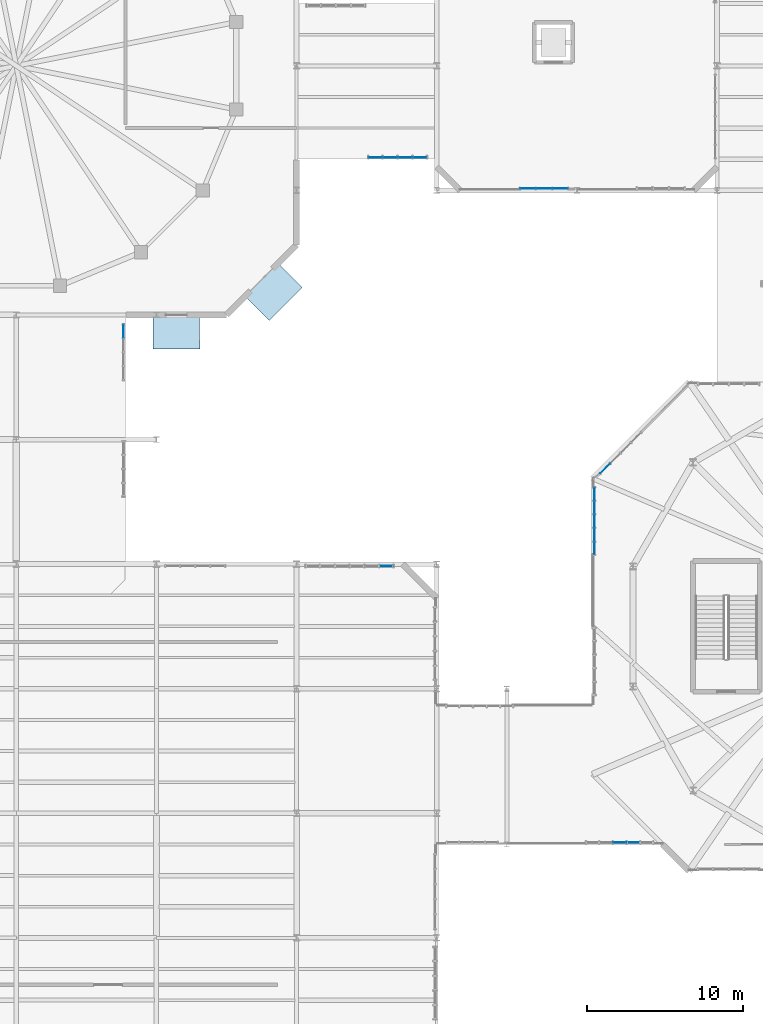
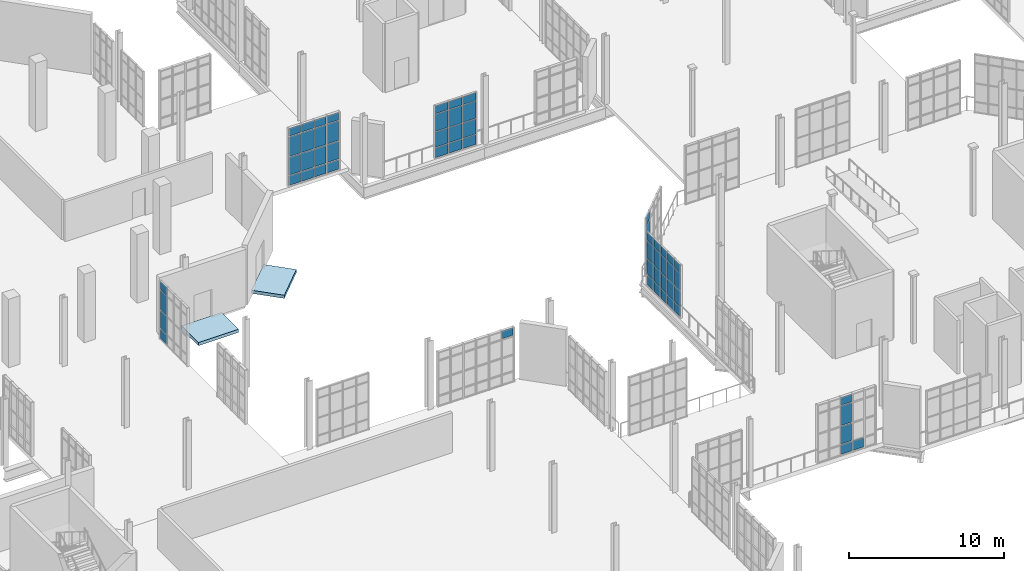
# One storey, part 146 of 189: 62 plates, 2 slabs, 7 elements without a shape of their own.
"""IFC4 building model written with IfcOpenShell, lengths in metres."""

from ifc_helpers import new_model, si_unit, direction, frame, origin, origin_2d, place, context, subcontext, project, spatial, polyline, rectangle, outline, extrude, material, layer, layer_set, type_object, element, aggregate, save


model = new_model("IFC4")

# Units and contexts
model_context = context("Model", 3, precision=1e-05, world=origin(), true_north=direction((0.0, 1.0)))
body_context = subcontext(model_context, "Body", "Model", "MODEL_VIEW")
ifc_project = project(units=[si_unit("LENGTHUNIT", "METRE"), si_unit("AREAUNIT", "SQUARE_METRE"), si_unit("VOLUMEUNIT", "CUBIC_METRE"), si_unit("PLANEANGLEUNIT", "RADIAN"), si_unit("MASSUNIT", "GRAM", prefix="KILO"), si_unit("THERMODYNAMICTEMPERATUREUNIT", "KELVIN"), si_unit("POWERUNIT", "WATT")], contexts=[model_context])

# Site, building, storey
site_placement = place(None, origin())
site = spatial("IfcSite", under=ifc_project, at=site_placement, CompositionType="ELEMENT")
building_placement = place(site_placement, origin())
building = spatial("IfcBuilding", under=site, at=building_placement, Name="Zelmaris Science Centre", CompositionType="ELEMENT")
storey_placement = place(building_placement, origin())
storey = spatial("IfcBuildingStorey", under=building, at=storey_placement, Name="L00", CompositionType="ELEMENT", Elevation=0.0)

# Curtain wall, plates
ifc_material_1 = material(Name="Anodised architectural aluminium 6063-T6", Category="aluminium")
ifc_layer_1 = layer(ifc_material_1, 0.18994140625, Name="Anodised architectural aluminium 6063-T6")
ifc_layer_set_1 = layer_set([ifc_layer_1], Name="Anodised architectural aluminium 6063-T6")
curtain_wall_type_1 = type_object("IfcCurtainWallType", Name="Curtain Wall CW-01", PredefinedType="USERDEFINED", material=ifc_layer_set_1)
curtain_wall_1_placement = place(storey_placement, origin())
curtain_wall_1 = element("IfcCurtainWall", 1, at=curtain_wall_1_placement, inside=storey, type_object=curtain_wall_type_1, Name="L00 Unitised curtain wall 37", ObjectType="GLAZED CURTAIN WALL", PredefinedType="USERDEFINED")
ifc_material_2 = material(Name="Laminated hurricane-rated low-E insulated glazing", Category="glass")
ifc_layer_2 = layer(ifc_material_2, 0.031982421875, Name="Laminated hurricane-rated low-E insulated glazing")
ifc_layer_set_2 = layer_set([ifc_layer_2], Name="Laminated hurricane-rated low-E insulated glazing")
plate_type_1 = type_object("IfcPlateType", Name="Curtain Glazing Panel CWP-1 32mm", PredefinedType="CURTAIN_PANEL", material=ifc_layer_set_2)
plate_1_placement = place(storey_placement, frame((52.912353515625, 66.118896484375, 0.05712890625), z_axis=(0.0, 0.0, 1.0), x_axis=(-1.0, 0.0, 0.0)))
plate_1 = element("IfcPlate", 2, at=plate_1_placement, type_object=plate_type_1, Name="CW-01 panel 1.1", PredefinedType="CURTAIN_PANEL", context=body_context, shape_type="SweptSolid", body=[
    extrude(rectangle(XDim=0.85498046875, YDim=0.031982421875, at=origin_2d()), origin(), (0.0, 0.0, 1.0), 0.741943359375),
])
plate_2_placement = place(storey_placement, frame((52.912353515625, 66.118896484375, 0.87109375), z_axis=(0.0, 0.0, 1.0), x_axis=(-1.0, 0.0, 0.0)))
plate_2 = element("IfcPlate", 3, at=plate_2_placement, type_object=plate_type_1, Name="CW-01 panel 1.2", PredefinedType="CURTAIN_PANEL", context=body_context, shape_type="SweptSolid", body=[
    extrude(rectangle(XDim=0.85498046875, YDim=0.031982421875, at=origin_2d()), origin(), (0.0, 0.0, 1.0), 1.385498046875),
])
plate_3_placement = place(storey_placement, frame((52.912353515625, 66.118896484375, 2.32861328125), z_axis=(0.0, 0.0, 1.0), x_axis=(-1.0, 0.0, 0.0)))
plate_3 = element("IfcPlate", 4, at=plate_3_placement, type_object=plate_type_1, Name="CW-01 panel 1.3", PredefinedType="CURTAIN_PANEL", context=body_context, shape_type="SweptSolid", body=[
    extrude(rectangle(XDim=0.85498046875, YDim=0.031982421875, at=origin_2d()), origin(), (0.0, 0.0, 1.0), 1.535400390625),
])
plate_4_placement = place(storey_placement, frame((52.912353515625, 66.118896484375, 3.93603515625), z_axis=(0.0, 0.0, 1.0), x_axis=(-1.0, 0.0, 0.0)))
plate_4 = element("IfcPlate", 5, at=plate_4_placement, type_object=plate_type_1, Name="CW-01 panel 1.4", PredefinedType="CURTAIN_PANEL", context=body_context, shape_type="SweptSolid", body=[
    extrude(rectangle(XDim=0.85498046875, YDim=0.031982421875, at=origin_2d()), origin(), (0.0, 0.0, 1.0), 0.592041015625),
])
plate_5_placement = place(storey_placement, frame((51.96728515625, 66.118896484375, 0.05712890625), z_axis=(0.0, 0.0, 1.0), x_axis=(-1.0, 0.0, 0.0)))
plate_5 = element("IfcPlate", 6, at=plate_5_placement, type_object=plate_type_1, Name="CW-01 panel 2.1", PredefinedType="CURTAIN_PANEL", context=body_context, shape_type="SweptSolid", body=[
    extrude(rectangle(XDim=0.890869140625, YDim=0.031982421875, at=origin_2d()), origin(), (0.0, 0.0, 1.0), 0.741943359375),
])
plate_6_placement = place(storey_placement, frame((51.96728515625, 66.118896484375, 0.87109375), z_axis=(0.0, 0.0, 1.0), x_axis=(-1.0, 0.0, 0.0)))
plate_6 = element("IfcPlate", 7, at=plate_6_placement, type_object=plate_type_1, Name="CW-01 panel 2.2", PredefinedType="CURTAIN_PANEL", context=body_context, shape_type="SweptSolid", body=[
    extrude(rectangle(XDim=0.890869140625, YDim=0.031982421875, at=origin_2d()), origin(), (0.0, 0.0, 1.0), 1.385498046875),
])
plate_7_placement = place(storey_placement, frame((51.96728515625, 66.118896484375, 2.32861328125), z_axis=(0.0, 0.0, 1.0), x_axis=(-1.0, 0.0, 0.0)))
plate_7 = element("IfcPlate", 8, at=plate_7_placement, type_object=plate_type_1, Name="CW-01 panel 2.3", PredefinedType="CURTAIN_PANEL", context=body_context, shape_type="SweptSolid", body=[
    extrude(rectangle(XDim=0.890869140625, YDim=0.031982421875, at=origin_2d()), origin(), (0.0, 0.0, 1.0), 1.535400390625),
])
plate_8_placement = place(storey_placement, frame((51.96728515625, 66.118896484375, 3.93603515625), z_axis=(0.0, 0.0, 1.0), x_axis=(-1.0, 0.0, 0.0)))
plate_8 = element("IfcPlate", 9, at=plate_8_placement, type_object=plate_type_1, Name="CW-01 panel 2.4", PredefinedType="CURTAIN_PANEL", context=body_context, shape_type="SweptSolid", body=[
    extrude(rectangle(XDim=0.890869140625, YDim=0.031982421875, at=origin_2d()), origin(), (0.0, 0.0, 1.0), 0.592041015625),
])
plate_9_placement = place(storey_placement, frame((51.00439453125, 66.118896484375, 0.05712890625), z_axis=(0.0, 0.0, 1.0), x_axis=(-1.0, 0.0, 0.0)))
plate_9 = element("IfcPlate", 10, at=plate_9_placement, type_object=plate_type_1, Name="CW-01 panel 3.1", PredefinedType="CURTAIN_PANEL", context=body_context, shape_type="SweptSolid", body=[
    extrude(rectangle(XDim=0.890869140625, YDim=0.031982421875, at=origin_2d()), origin(), (0.0, 0.0, 1.0), 0.741943359375),
])
plate_10_placement = place(storey_placement, frame((51.00439453125, 66.118896484375, 0.87109375), z_axis=(0.0, 0.0, 1.0), x_axis=(-1.0, 0.0, 0.0)))
plate_10 = element("IfcPlate", 11, at=plate_10_placement, type_object=plate_type_1, Name="CW-01 panel 3.2", PredefinedType="CURTAIN_PANEL", context=body_context, shape_type="SweptSolid", body=[
    extrude(rectangle(XDim=0.890869140625, YDim=0.031982421875, at=origin_2d()), origin(), (0.0, 0.0, 1.0), 1.385498046875),
])
plate_11_placement = place(storey_placement, frame((51.00439453125, 66.118896484375, 2.32861328125), z_axis=(0.0, 0.0, 1.0), x_axis=(-1.0, 0.0, 0.0)))
plate_11 = element("IfcPlate", 12, at=plate_11_placement, type_object=plate_type_1, Name="CW-01 panel 3.3", PredefinedType="CURTAIN_PANEL", context=body_context, shape_type="SweptSolid", body=[
    extrude(rectangle(XDim=0.890869140625, YDim=0.031982421875, at=origin_2d()), origin(), (0.0, 0.0, 1.0), 1.535400390625),
])
plate_12_placement = place(storey_placement, frame((51.00439453125, 66.118896484375, 3.93603515625), z_axis=(0.0, 0.0, 1.0), x_axis=(-1.0, 0.0, 0.0)))
plate_12 = element("IfcPlate", 13, at=plate_12_placement, type_object=plate_type_1, Name="CW-01 panel 3.4", PredefinedType="CURTAIN_PANEL", context=body_context, shape_type="SweptSolid", body=[
    extrude(rectangle(XDim=0.890869140625, YDim=0.031982421875, at=origin_2d()), origin(), (0.0, 0.0, 1.0), 0.592041015625),
])
plate_13_placement = place(storey_placement, frame((50.0595703125, 66.118896484375, 0.05712890625), z_axis=(0.0, 0.0, 1.0), x_axis=(-1.0, 0.0, 0.0)))
plate_13 = element("IfcPlate", 14, at=plate_13_placement, type_object=plate_type_1, Name="CW-01 panel 4.1", PredefinedType="CURTAIN_PANEL", context=body_context, shape_type="SweptSolid", body=[
    extrude(rectangle(XDim=0.85498046875, YDim=0.031982421875, at=origin_2d()), origin(), (0.0, 0.0, 1.0), 0.741943359375),
])
plate_14_placement = place(storey_placement, frame((50.0595703125, 66.118896484375, 0.87109375), z_axis=(0.0, 0.0, 1.0), x_axis=(-1.0, 0.0, 0.0)))
plate_14 = element("IfcPlate", 15, at=plate_14_placement, type_object=plate_type_1, Name="CW-01 panel 4.2", PredefinedType="CURTAIN_PANEL", context=body_context, shape_type="SweptSolid", body=[
    extrude(rectangle(XDim=0.85498046875, YDim=0.031982421875, at=origin_2d()), origin(), (0.0, 0.0, 1.0), 1.385498046875),
])
plate_15_placement = place(storey_placement, frame((50.0595703125, 66.118896484375, 2.32861328125), z_axis=(0.0, 0.0, 1.0), x_axis=(-1.0, 0.0, 0.0)))
plate_15 = element("IfcPlate", 16, at=plate_15_placement, type_object=plate_type_1, Name="CW-01 panel 4.3", PredefinedType="CURTAIN_PANEL", context=body_context, shape_type="SweptSolid", body=[
    extrude(rectangle(XDim=0.85498046875, YDim=0.031982421875, at=origin_2d()), origin(), (0.0, 0.0, 1.0), 1.535400390625),
])
plate_16_placement = place(storey_placement, frame((50.0595703125, 66.118896484375, 3.93603515625), z_axis=(0.0, 0.0, 1.0), x_axis=(-1.0, 0.0, 0.0)))
plate_16 = element("IfcPlate", 17, at=plate_16_placement, type_object=plate_type_1, Name="CW-01 panel 4.4", PredefinedType="CURTAIN_PANEL", context=body_context, shape_type="SweptSolid", body=[
    extrude(rectangle(XDim=0.85498046875, YDim=0.031982421875, at=origin_2d()), origin(), (0.0, 0.0, 1.0), 0.592041015625),
])
aggregate(curtain_wall_1, [plate_1, plate_2, plate_3, plate_4, plate_5, plate_6, plate_7, plate_8, plate_9, plate_10, plate_11, plate_12, plate_13, plate_14, plate_15, plate_16])

# Curtain wall, plate
curtain_wall_2_placement = place(storey_placement, origin())
curtain_wall_2 = element("IfcCurtainWall", 18, at=curtain_wall_2_placement, inside=storey, type_object=curtain_wall_type_1, Name="L00 Unitised curtain wall 45", ObjectType="GLAZED CURTAIN WALL", PredefinedType="USERDEFINED")
plate_17_placement = place(storey_placement, frame((50.765380859375, 39.8798828125, 3.64404296875), z_axis=(0.0, 0.0, 1.0), x_axis=(0.999999999847, -1.7482509e-05, 0.0)))
plate_17 = element("IfcPlate", 19, at=plate_17_placement, type_object=plate_type_1, Name="CW-01 panel 6.4", PredefinedType="CURTAIN_PANEL", context=body_context, shape_type="SweptSolid", body=[
    extrude(rectangle(XDim=0.84521484375, YDim=0.031982421875, at=origin_2d()), origin(), (0.0, 0.0, 1.0), 0.592041015625),
])
aggregate(curtain_wall_2, [plate_17])

# Curtain wall, plates
curtain_wall_3_placement = place(storey_placement, origin())
curtain_wall_3 = element("IfcCurtainWall", 20, at=curtain_wall_3_placement, inside=storey, type_object=curtain_wall_type_1, Name="L00 Unitised curtain wall 121", ObjectType="GLAZED CURTAIN WALL", PredefinedType="USERDEFINED")
plate_18_placement = place(storey_placement, frame((66.623779296875, 22.11962890625, 0.05712890625), z_axis=(0.0, 0.0, 1.0), x_axis=(-0.999999999741, 2.2776442e-05, 0.0)))
plate_18 = element("IfcPlate", 21, at=plate_18_placement, type_object=plate_type_1, Name="CW-01 panel 2.1", PredefinedType="CURTAIN_PANEL", context=body_context, shape_type="SweptSolid", body=[
    extrude(rectangle(XDim=0.80615234375, YDim=0.031982421875, at=origin_2d()), origin(), (0.0, 0.0, 1.0), 0.741943359375),
])
plate_19_placement = place(storey_placement, frame((65.745849609375, 22.11962890625, 0.05712890625), z_axis=(0.0, 0.0, 1.0), x_axis=(-0.999999999741, 2.2776442e-05, 0.0)))
plate_19 = element("IfcPlate", 22, at=plate_19_placement, type_object=plate_type_1, Name="CW-01 panel 3.1", PredefinedType="CURTAIN_PANEL", context=body_context, shape_type="SweptSolid", body=[
    extrude(rectangle(XDim=0.80615234375, YDim=0.031982421875, at=origin_2d()), origin(), (0.0, 0.0, 1.0), 0.741943359375),
])
plate_20_placement = place(storey_placement, frame((65.745849609375, 22.11962890625, 0.87109375), z_axis=(0.0, 0.0, 1.0), x_axis=(-0.999999999741, 2.2776442e-05, 0.0)))
plate_20 = element("IfcPlate", 23, at=plate_20_placement, type_object=plate_type_1, Name="CW-01 panel 3.2", PredefinedType="CURTAIN_PANEL", context=body_context, shape_type="SweptSolid", body=[
    extrude(rectangle(XDim=0.80615234375, YDim=0.031982421875, at=origin_2d()), origin(), (0.0, 0.0, 1.0), 1.385498046875),
])
plate_21_placement = place(storey_placement, frame((65.745849609375, 22.11962890625, 2.32861328125), z_axis=(0.0, 0.0, 1.0), x_axis=(-0.999999999741, 2.2776442e-05, 0.0)))
plate_21 = element("IfcPlate", 24, at=plate_21_placement, type_object=plate_type_1, Name="CW-01 panel 3.3", PredefinedType="CURTAIN_PANEL", context=body_context, shape_type="SweptSolid", body=[
    extrude(rectangle(XDim=0.80615234375, YDim=0.031982421875, at=origin_2d()), origin(), (0.0, 0.0, 1.0), 1.535400390625),
])
plate_22_placement = place(storey_placement, frame((65.745849609375, 22.11962890625, 3.93603515625), z_axis=(0.0, 0.0, 1.0), x_axis=(-0.999999999741, 2.2776442e-05, 0.0)))
plate_22 = element("IfcPlate", 25, at=plate_22_placement, type_object=plate_type_1, Name="CW-01 panel 3.4", PredefinedType="CURTAIN_PANEL", context=body_context, shape_type="SweptSolid", body=[
    extrude(rectangle(XDim=0.80615234375, YDim=0.031982421875, at=origin_2d()), origin(), (0.0, 0.0, 1.0), 0.592041015625),
])
aggregate(curtain_wall_3, [plate_18, plate_19, plate_20, plate_21, plate_22])

ifc_layer_3 = layer(ifc_material_1, 0.2099609375, Name="Anodised architectural aluminium 6063-T6")
ifc_layer_set_3 = layer_set([ifc_layer_3], Name="Anodised architectural aluminium 6063-T6")
curtain_wall_type_2 = type_object("IfcCurtainWallType", Name="Curtain Wall CW-03", PredefinedType="USERDEFINED", material=ifc_layer_set_3)
curtain_wall_4_placement = place(storey_placement, origin())
curtain_wall_4 = element("IfcCurtainWall", 26, at=curtain_wall_4_placement, inside=storey, type_object=curtain_wall_type_2, Name="L00 Unitised curtain wall 35", ObjectType="GLAZED CURTAIN WALL", PredefinedType="USERDEFINED")
ifc_layer_4 = layer(ifc_material_2, 0.02587890625, Name="Laminated hurricane-rated low-E insulated glazing")
ifc_layer_set_4 = layer_set([ifc_layer_4], Name="Laminated hurricane-rated low-E insulated glazing")
plate_type_2 = type_object("IfcPlateType", Name="Curtain Glazing Panel CWP-3 26mm", PredefinedType="CURTAIN_PANEL", material=ifc_layer_set_4)
plate_23_placement = place(storey_placement, frame((61.920654296875, 64.1201171875, 0.0419921875), z_axis=(0.0, 0.0, 1.0), x_axis=(-1.0, 0.0, 0.0)))
plate_23 = element("IfcPlate", 27, at=plate_23_placement, type_object=plate_type_2, Name="CW-03 panel 1.1", PredefinedType="CURTAIN_PANEL", context=body_context, shape_type="SweptSolid", body=[
    extrude(rectangle(XDim=0.964599609375, YDim=0.02587890625, at=origin_2d()), origin(), (0.0, 0.0, 1.0), 0.764404296875),
])
plate_24_placement = place(storey_placement, frame((61.920654296875, 64.1201171875, 0.863525390625), z_axis=(0.0, 0.0, 1.0), x_axis=(-1.0, 0.0, 0.0)))
plate_24 = element("IfcPlate", 28, at=plate_24_placement, type_object=plate_type_2, Name="CW-03 panel 1.2", PredefinedType="CURTAIN_PANEL", context=body_context, shape_type="SweptSolid", body=[
    extrude(rectangle(XDim=0.964599609375, YDim=0.02587890625, at=origin_2d()), origin(), (0.0, 0.0, 1.0), 1.18701171875),
])
plate_25_placement = place(storey_placement, frame((61.920654296875, 64.1201171875, 2.107421875), z_axis=(0.0, 0.0, 1.0), x_axis=(-1.0, 0.0, 0.0)))
plate_25 = element("IfcPlate", 29, at=plate_25_placement, type_object=plate_type_2, Name="CW-03 panel 1.3", PredefinedType="CURTAIN_PANEL", context=body_context, shape_type="SweptSolid", body=[
    extrude(rectangle(XDim=0.964599609375, YDim=0.02587890625, at=origin_2d()), origin(), (0.0, 0.0, 1.0), 1.3369140625),
])
plate_26_placement = place(storey_placement, frame((61.920654296875, 64.1201171875, 3.50146484375), z_axis=(0.0, 0.0, 1.0), x_axis=(-1.0, 0.0, 0.0)))
plate_26 = element("IfcPlate", 30, at=plate_26_placement, type_object=plate_type_2, Name="CW-03 panel 1.4", PredefinedType="CURTAIN_PANEL", context=body_context, shape_type="SweptSolid", body=[
    extrude(rectangle(XDim=0.964599609375, YDim=0.02587890625, at=origin_2d()), origin(), (0.0, 0.0, 1.0), 0.614501953125),
])
plate_27_placement = place(storey_placement, frame((60.885009765625, 64.1201171875, 0.0419921875), z_axis=(0.0, 0.0, 1.0), x_axis=(-1.0, 0.0, 0.0)))
plate_27 = element("IfcPlate", 31, at=plate_27_placement, type_object=plate_type_2, Name="CW-03 panel 2.1", PredefinedType="CURTAIN_PANEL", context=body_context, shape_type="SweptSolid", body=[
    extrude(rectangle(XDim=0.992919921875, YDim=0.02587890625, at=origin_2d()), origin(), (0.0, 0.0, 1.0), 0.764404296875),
])
plate_28_placement = place(storey_placement, frame((60.885009765625, 64.1201171875, 0.863525390625), z_axis=(0.0, 0.0, 1.0), x_axis=(-1.0, 0.0, 0.0)))
plate_28 = element("IfcPlate", 32, at=plate_28_placement, type_object=plate_type_2, Name="CW-03 panel 2.2", PredefinedType="CURTAIN_PANEL", context=body_context, shape_type="SweptSolid", body=[
    extrude(rectangle(XDim=0.992919921875, YDim=0.02587890625, at=origin_2d()), origin(), (0.0, 0.0, 1.0), 1.18701171875),
])
plate_29_placement = place(storey_placement, frame((60.885009765625, 64.1201171875, 2.107421875), z_axis=(0.0, 0.0, 1.0), x_axis=(-1.0, 0.0, 0.0)))
plate_29 = element("IfcPlate", 33, at=plate_29_placement, type_object=plate_type_2, Name="CW-03 panel 2.3", PredefinedType="CURTAIN_PANEL", context=body_context, shape_type="SweptSolid", body=[
    extrude(rectangle(XDim=0.992919921875, YDim=0.02587890625, at=origin_2d()), origin(), (0.0, 0.0, 1.0), 1.3369140625),
])
plate_30_placement = place(storey_placement, frame((60.885009765625, 64.1201171875, 3.50146484375), z_axis=(0.0, 0.0, 1.0), x_axis=(-1.0, 0.0, 0.0)))
plate_30 = element("IfcPlate", 34, at=plate_30_placement, type_object=plate_type_2, Name="CW-03 panel 2.4", PredefinedType="CURTAIN_PANEL", context=body_context, shape_type="SweptSolid", body=[
    extrude(rectangle(XDim=0.992919921875, YDim=0.02587890625, at=origin_2d()), origin(), (0.0, 0.0, 1.0), 0.614501953125),
])
plate_31_placement = place(storey_placement, frame((59.849365234375, 64.1201171875, 0.0419921875), z_axis=(0.0, 0.0, 1.0), x_axis=(-1.0, 0.0, 0.0)))
plate_31 = element("IfcPlate", 35, at=plate_31_placement, type_object=plate_type_2, Name="CW-03 panel 3.1", PredefinedType="CURTAIN_PANEL", context=body_context, shape_type="SweptSolid", body=[
    extrude(rectangle(XDim=0.964599609375, YDim=0.02587890625, at=origin_2d()), origin(), (0.0, 0.0, 1.0), 0.764404296875),
])
plate_32_placement = place(storey_placement, frame((59.849365234375, 64.1201171875, 0.863525390625), z_axis=(0.0, 0.0, 1.0), x_axis=(-1.0, 0.0, 0.0)))
plate_32 = element("IfcPlate", 36, at=plate_32_placement, type_object=plate_type_2, Name="CW-03 panel 3.2", PredefinedType="CURTAIN_PANEL", context=body_context, shape_type="SweptSolid", body=[
    extrude(rectangle(XDim=0.964599609375, YDim=0.02587890625, at=origin_2d()), origin(), (0.0, 0.0, 1.0), 1.18701171875),
])
plate_33_placement = place(storey_placement, frame((59.849365234375, 64.1201171875, 2.107421875), z_axis=(0.0, 0.0, 1.0), x_axis=(-1.0, 0.0, 0.0)))
plate_33 = element("IfcPlate", 37, at=plate_33_placement, type_object=plate_type_2, Name="CW-03 panel 3.3", PredefinedType="CURTAIN_PANEL", context=body_context, shape_type="SweptSolid", body=[
    extrude(rectangle(XDim=0.964599609375, YDim=0.02587890625, at=origin_2d()), origin(), (0.0, 0.0, 1.0), 1.3369140625),
])
plate_34_placement = place(storey_placement, frame((59.849365234375, 64.1201171875, 3.50146484375), z_axis=(0.0, 0.0, 1.0), x_axis=(-1.0, 0.0, 0.0)))
plate_34 = element("IfcPlate", 38, at=plate_34_placement, type_object=plate_type_2, Name="CW-03 panel 3.4", PredefinedType="CURTAIN_PANEL", context=body_context, shape_type="SweptSolid", body=[
    extrude(rectangle(XDim=0.964599609375, YDim=0.02587890625, at=origin_2d()), origin(), (0.0, 0.0, 1.0), 0.614501953125),
])
aggregate(curtain_wall_4, [plate_23, plate_24, plate_25, plate_26, plate_27, plate_28, plate_29, plate_30, plate_31, plate_32, plate_33, plate_34])

curtain_wall_5_placement = place(storey_placement, origin())
curtain_wall_5 = element("IfcCurtainWall", 39, at=curtain_wall_5_placement, inside=storey, type_object=curtain_wall_type_2, Name="L00 Unitised curtain wall 39", ObjectType="GLAZED CURTAIN WALL", PredefinedType="USERDEFINED")
plate_35_placement = place(storey_placement, frame((33.88330078125, 54.949951171875, 0.0419921875), z_axis=(0.0, 0.0, 1.0), x_axis=(0.000689864353, -0.999999762044, 0.0)))
plate_35 = element("IfcPlate", 40, at=plate_35_placement, type_object=plate_type_2, Name="CW-03 panel 1.1", PredefinedType="CURTAIN_PANEL", context=body_context, shape_type="SweptSolid", body=[
    extrude(rectangle(XDim=0.820556640625, YDim=0.02587890625, at=origin_2d()), origin(), (0.0, 0.0, 1.0), 0.764404296875),
])
plate_36_placement = place(storey_placement, frame((33.88330078125, 54.949951171875, 0.863525390625), z_axis=(0.0, 0.0, 1.0), x_axis=(0.000689864353, -0.999999762044, 0.0)))
plate_36 = element("IfcPlate", 41, at=plate_36_placement, type_object=plate_type_2, Name="CW-03 panel 1.2", PredefinedType="CURTAIN_PANEL", context=body_context, shape_type="SweptSolid", body=[
    extrude(rectangle(XDim=0.820556640625, YDim=0.02587890625, at=origin_2d()), origin(), (0.0, 0.0, 1.0), 1.400390625),
])
plate_37_placement = place(storey_placement, frame((33.88330078125, 54.949951171875, 2.32080078125), z_axis=(0.0, 0.0, 1.0), x_axis=(0.000689864353, -0.999999762044, 0.0)))
plate_37 = element("IfcPlate", 42, at=plate_37_placement, type_object=plate_type_2, Name="CW-03 panel 1.3", PredefinedType="CURTAIN_PANEL", context=body_context, shape_type="SweptSolid", body=[
    extrude(rectangle(XDim=0.820556640625, YDim=0.02587890625, at=origin_2d()), origin(), (0.0, 0.0, 1.0), 1.550537109375),
])
plate_38_placement = place(storey_placement, frame((33.88330078125, 54.949951171875, 3.9287109375), z_axis=(0.0, 0.0, 1.0), x_axis=(0.000689864353, -0.999999762044, 0.0)))
plate_38 = element("IfcPlate", 43, at=plate_38_placement, type_object=plate_type_2, Name="CW-03 panel 1.4", PredefinedType="CURTAIN_PANEL", context=body_context, shape_type="SweptSolid", body=[
    extrude(rectangle(XDim=0.820556640625, YDim=0.02587890625, at=origin_2d()), origin(), (0.0, 0.0, 1.0), 0.614501953125),
])
aggregate(curtain_wall_5, [plate_35, plate_36, plate_37, plate_38])

curtain_wall_6_placement = place(storey_placement, origin())
curtain_wall_6 = element("IfcCurtainWall", 44, at=curtain_wall_6_placement, inside=storey, type_object=curtain_wall_type_2, Name="L00 Unitised curtain wall 51", ObjectType="GLAZED CURTAIN WALL", PredefinedType="USERDEFINED")
plate_39_placement = place(storey_placement, frame((64.11572265625, 41.02685546875, 0.0419921875), z_axis=(0.0, 0.0, 1.0), x_axis=(0.000957591904, 0.999999541509, 0.0)))
plate_39 = element("IfcPlate", 45, at=plate_39_placement, type_object=plate_type_2, Name="CW-03 panel 1.1", PredefinedType="CURTAIN_PANEL", context=body_context, shape_type="SweptSolid", body=[
    extrude(rectangle(XDim=0.791748046875, YDim=0.02587890625, at=origin_2d()), origin(), (0.0, 0.0, 1.0), 0.764404296875),
])
plate_40_placement = place(storey_placement, frame((64.11572265625, 41.02685546875, 0.863525390625), z_axis=(0.0, 0.0, 1.0), x_axis=(0.000957591904, 0.999999541509, 0.0)))
plate_40 = element("IfcPlate", 46, at=plate_40_placement, type_object=plate_type_2, Name="CW-03 panel 1.2", PredefinedType="CURTAIN_PANEL", context=body_context, shape_type="SweptSolid", body=[
    extrude(rectangle(XDim=0.791748046875, YDim=0.02587890625, at=origin_2d()), origin(), (0.0, 0.0, 1.0), 1.20751953125),
])
plate_41_placement = place(storey_placement, frame((64.11572265625, 41.02685546875, 2.1279296875), z_axis=(0.0, 0.0, 1.0), x_axis=(0.000957591904, 0.999999541509, 0.0)))
plate_41 = element("IfcPlate", 47, at=plate_41_placement, type_object=plate_type_2, Name="CW-03 panel 1.3", PredefinedType="CURTAIN_PANEL", context=body_context, shape_type="SweptSolid", body=[
    extrude(rectangle(XDim=0.791748046875, YDim=0.02587890625, at=origin_2d()), origin(), (0.0, 0.0, 1.0), 1.357421875),
])
plate_42_placement = place(storey_placement, frame((64.11572265625, 41.02685546875, 3.54248046875), z_axis=(0.0, 0.0, 1.0), x_axis=(0.000957591904, 0.999999541509, 0.0)))
plate_42 = element("IfcPlate", 48, at=plate_42_placement, type_object=plate_type_2, Name="CW-03 panel 1.4", PredefinedType="CURTAIN_PANEL", context=body_context, shape_type="SweptSolid", body=[
    extrude(rectangle(XDim=0.791748046875, YDim=0.02587890625, at=origin_2d()), origin(), (0.0, 0.0, 1.0), 0.614501953125),
])
plate_43_placement = place(storey_placement, frame((64.11669921875, 41.8896484375, 0.0419921875), z_axis=(0.0, 0.0, 1.0), x_axis=(0.000957591904, 0.999999541509, 0.0)))
plate_43 = element("IfcPlate", 49, at=plate_43_placement, type_object=plate_type_2, Name="CW-03 panel 2.1", PredefinedType="CURTAIN_PANEL", context=body_context, shape_type="SweptSolid", body=[
    extrude(rectangle(XDim=0.8203125, YDim=0.02587890625, at=origin_2d()), origin(), (0.0, 0.0, 1.0), 0.764404296875),
])
plate_44_placement = place(storey_placement, frame((64.11669921875, 41.8896484375, 0.863525390625), z_axis=(0.0, 0.0, 1.0), x_axis=(0.000957591904, 0.999999541509, 0.0)))
plate_44 = element("IfcPlate", 50, at=plate_44_placement, type_object=plate_type_2, Name="CW-03 panel 2.2", PredefinedType="CURTAIN_PANEL", context=body_context, shape_type="SweptSolid", body=[
    extrude(rectangle(XDim=0.8203125, YDim=0.02587890625, at=origin_2d()), origin(), (0.0, 0.0, 1.0), 1.20751953125),
])
plate_45_placement = place(storey_placement, frame((64.11669921875, 41.8896484375, 2.1279296875), z_axis=(0.0, 0.0, 1.0), x_axis=(0.000957591904, 0.999999541509, 0.0)))
plate_45 = element("IfcPlate", 51, at=plate_45_placement, type_object=plate_type_2, Name="CW-03 panel 2.3", PredefinedType="CURTAIN_PANEL", context=body_context, shape_type="SweptSolid", body=[
    extrude(rectangle(XDim=0.8203125, YDim=0.02587890625, at=origin_2d()), origin(), (0.0, 0.0, 1.0), 1.357421875),
])
plate_46_placement = place(storey_placement, frame((64.11669921875, 41.8896484375, 3.54248046875), z_axis=(0.0, 0.0, 1.0), x_axis=(0.000957591904, 0.999999541509, 0.0)))
plate_46 = element("IfcPlate", 52, at=plate_46_placement, type_object=plate_type_2, Name="CW-03 panel 2.4", PredefinedType="CURTAIN_PANEL", context=body_context, shape_type="SweptSolid", body=[
    extrude(rectangle(XDim=0.8203125, YDim=0.02587890625, at=origin_2d()), origin(), (0.0, 0.0, 1.0), 0.614501953125),
])
plate_47_placement = place(storey_placement, frame((64.117431640625, 42.766845703125, 0.0419921875), z_axis=(0.0, 0.0, 1.0), x_axis=(0.000957591904, 0.999999541509, 0.0)))
plate_47 = element("IfcPlate", 53, at=plate_47_placement, type_object=plate_type_2, Name="CW-03 panel 3.1", PredefinedType="CURTAIN_PANEL", context=body_context, shape_type="SweptSolid", body=[
    extrude(rectangle(XDim=0.8203125, YDim=0.02587890625, at=origin_2d()), origin(), (0.0, 0.0, 1.0), 0.764404296875),
])
plate_48_placement = place(storey_placement, frame((64.117431640625, 42.766845703125, 0.863525390625), z_axis=(0.0, 0.0, 1.0), x_axis=(0.000957591904, 0.999999541509, 0.0)))
plate_48 = element("IfcPlate", 54, at=plate_48_placement, type_object=plate_type_2, Name="CW-03 panel 3.2", PredefinedType="CURTAIN_PANEL", context=body_context, shape_type="SweptSolid", body=[
    extrude(rectangle(XDim=0.8203125, YDim=0.02587890625, at=origin_2d()), origin(), (0.0, 0.0, 1.0), 1.20751953125),
])
plate_49_placement = place(storey_placement, frame((64.117431640625, 42.766845703125, 2.1279296875), z_axis=(0.0, 0.0, 1.0), x_axis=(0.000957591904, 0.999999541509, 0.0)))
plate_49 = element("IfcPlate", 55, at=plate_49_placement, type_object=plate_type_2, Name="CW-03 panel 3.3", PredefinedType="CURTAIN_PANEL", context=body_context, shape_type="SweptSolid", body=[
    extrude(rectangle(XDim=0.8203125, YDim=0.02587890625, at=origin_2d()), origin(), (0.0, 0.0, 1.0), 1.357421875),
])
plate_50_placement = place(storey_placement, frame((64.117431640625, 42.766845703125, 3.54248046875), z_axis=(0.0, 0.0, 1.0), x_axis=(0.000957591904, 0.999999541509, 0.0)))
plate_50 = element("IfcPlate", 56, at=plate_50_placement, type_object=plate_type_2, Name="CW-03 panel 3.4", PredefinedType="CURTAIN_PANEL", context=body_context, shape_type="SweptSolid", body=[
    extrude(rectangle(XDim=0.8203125, YDim=0.02587890625, at=origin_2d()), origin(), (0.0, 0.0, 1.0), 0.614501953125),
])
plate_51_placement = place(storey_placement, frame((64.118408203125, 43.64404296875, 0.0419921875), z_axis=(0.0, 0.0, 1.0), x_axis=(0.000957591904, 0.999999541509, 0.0)))
plate_51 = element("IfcPlate", 57, at=plate_51_placement, type_object=plate_type_2, Name="CW-03 panel 4.1", PredefinedType="CURTAIN_PANEL", context=body_context, shape_type="SweptSolid", body=[
    extrude(rectangle(XDim=0.8203125, YDim=0.02587890625, at=origin_2d()), origin(), (0.0, 0.0, 1.0), 0.764404296875),
])
plate_52_placement = place(storey_placement, frame((64.118408203125, 43.64404296875, 0.863525390625), z_axis=(0.0, 0.0, 1.0), x_axis=(0.000957591904, 0.999999541509, 0.0)))
plate_52 = element("IfcPlate", 58, at=plate_52_placement, type_object=plate_type_2, Name="CW-03 panel 4.2", PredefinedType="CURTAIN_PANEL", context=body_context, shape_type="SweptSolid", body=[
    extrude(rectangle(XDim=0.8203125, YDim=0.02587890625, at=origin_2d()), origin(), (0.0, 0.0, 1.0), 1.20751953125),
])
plate_53_placement = place(storey_placement, frame((64.118408203125, 43.64404296875, 2.1279296875), z_axis=(0.0, 0.0, 1.0), x_axis=(0.000957591904, 0.999999541509, 0.0)))
plate_53 = element("IfcPlate", 59, at=plate_53_placement, type_object=plate_type_2, Name="CW-03 panel 4.3", PredefinedType="CURTAIN_PANEL", context=body_context, shape_type="SweptSolid", body=[
    extrude(rectangle(XDim=0.8203125, YDim=0.02587890625, at=origin_2d()), origin(), (0.0, 0.0, 1.0), 1.357421875),
])
plate_54_placement = place(storey_placement, frame((64.118408203125, 43.64404296875, 3.54248046875), z_axis=(0.0, 0.0, 1.0), x_axis=(0.000957591904, 0.999999541509, 0.0)))
plate_54 = element("IfcPlate", 60, at=plate_54_placement, type_object=plate_type_2, Name="CW-03 panel 4.4", PredefinedType="CURTAIN_PANEL", context=body_context, shape_type="SweptSolid", body=[
    extrude(rectangle(XDim=0.8203125, YDim=0.02587890625, at=origin_2d()), origin(), (0.0, 0.0, 1.0), 0.614501953125),
])
plate_55_placement = place(storey_placement, frame((64.119140625, 44.507080078125, 0.0419921875), z_axis=(0.0, 0.0, 1.0), x_axis=(0.000957591904, 0.999999541509, 0.0)))
plate_55 = element("IfcPlate", 61, at=plate_55_placement, type_object=plate_type_2, Name="CW-03 panel 5.1", PredefinedType="CURTAIN_PANEL", context=body_context, shape_type="SweptSolid", body=[
    extrude(rectangle(XDim=0.791748046875, YDim=0.02587890625, at=origin_2d()), origin(), (0.0, 0.0, 1.0), 0.764404296875),
])
plate_56_placement = place(storey_placement, frame((64.119140625, 44.507080078125, 0.863525390625), z_axis=(0.0, 0.0, 1.0), x_axis=(0.000957591904, 0.999999541509, 0.0)))
plate_56 = element("IfcPlate", 62, at=plate_56_placement, type_object=plate_type_2, Name="CW-03 panel 5.2", PredefinedType="CURTAIN_PANEL", context=body_context, shape_type="SweptSolid", body=[
    extrude(rectangle(XDim=0.791748046875, YDim=0.02587890625, at=origin_2d()), origin(), (0.0, 0.0, 1.0), 1.20751953125),
])
plate_57_placement = place(storey_placement, frame((64.119140625, 44.507080078125, 2.1279296875), z_axis=(0.0, 0.0, 1.0), x_axis=(0.000957591904, 0.999999541509, 0.0)))
plate_57 = element("IfcPlate", 63, at=plate_57_placement, type_object=plate_type_2, Name="CW-03 panel 5.3", PredefinedType="CURTAIN_PANEL", context=body_context, shape_type="SweptSolid", body=[
    extrude(rectangle(XDim=0.791748046875, YDim=0.02587890625, at=origin_2d()), origin(), (0.0, 0.0, 1.0), 1.357421875),
])
plate_58_placement = place(storey_placement, frame((64.119140625, 44.507080078125, 3.54248046875), z_axis=(0.0, 0.0, 1.0), x_axis=(0.000957591904, 0.999999541509, 0.0)))
plate_58 = element("IfcPlate", 64, at=plate_58_placement, type_object=plate_type_2, Name="CW-03 panel 5.4", PredefinedType="CURTAIN_PANEL", context=body_context, shape_type="SweptSolid", body=[
    extrude(rectangle(XDim=0.791748046875, YDim=0.02587890625, at=origin_2d()), origin(), (0.0, 0.0, 1.0), 0.614501953125),
])
aggregate(curtain_wall_6, [plate_39, plate_40, plate_41, plate_42, plate_43, plate_44, plate_45, plate_46, plate_47, plate_48, plate_49, plate_50, plate_51, plate_52, plate_53, plate_54, plate_55, plate_56, plate_57, plate_58])

ifc_layer_5 = layer(ifc_material_1, 0.219970703125, Name="Anodised architectural aluminium 6063-T6")
ifc_layer_set_5 = layer_set([ifc_layer_5], Name="Anodised architectural aluminium 6063-T6")
curtain_wall_type_3 = type_object("IfcCurtainWallType", Name="Curtain Wall CW-04", PredefinedType="USERDEFINED", material=ifc_layer_set_5)
curtain_wall_7_placement = place(storey_placement, origin())
curtain_wall_7 = element("IfcCurtainWall", 65, at=curtain_wall_7_placement, inside=storey, type_object=curtain_wall_type_3, Name="L00 Unitised curtain wall 52", ObjectType="GLAZED CURTAIN WALL", PredefinedType="USERDEFINED")
ifc_layer_6 = layer(ifc_material_2, 0.02392578125, Name="Laminated hurricane-rated low-E insulated glazing")
ifc_layer_set_6 = layer_set([ifc_layer_6], Name="Laminated hurricane-rated low-E insulated glazing")
plate_type_3 = type_object("IfcPlateType", Name="Curtain Glazing Panel CWP-4 24mm", PredefinedType="CURTAIN_PANEL", material=ifc_layer_set_6)
plate_59_placement = place(storey_placement, frame((64.810546875, 46.140625, 0.037109375), z_axis=(0.0, 0.0, 1.0), x_axis=(0.707172836921, 0.707040719281, 0.0)))
plate_59 = element("IfcPlate", 66, at=plate_59_placement, type_object=plate_type_3, Name="CW-04 panel 1.1", PredefinedType="CURTAIN_PANEL", context=body_context, shape_type="SweptSolid", body=[
    extrude(rectangle(XDim=0.8681640625, YDim=0.02392578125, at=origin_2d()), origin(), (0.0, 0.0, 1.0), 0.77197265625),
])
plate_60_placement = place(storey_placement, frame((64.810546875, 46.140625, 0.86083984375), z_axis=(0.0, 0.0, 1.0), x_axis=(0.707172836921, 0.707040719281, 0.0)))
plate_60 = element("IfcPlate", 67, at=plate_60_placement, type_object=plate_type_3, Name="CW-04 panel 1.2", PredefinedType="CURTAIN_PANEL", context=body_context, shape_type="SweptSolid", body=[
    extrude(rectangle(XDim=0.8681640625, YDim=0.02392578125, at=origin_2d()), origin(), (0.0, 0.0, 1.0), 1.405517578125),
])
plate_61_placement = place(storey_placement, frame((64.810546875, 46.140625, 2.318359375), z_axis=(0.0, 0.0, 1.0), x_axis=(0.707172836921, 0.707040719281, 0.0)))
plate_61 = element("IfcPlate", 68, at=plate_61_placement, type_object=plate_type_3, Name="CW-04 panel 1.3", PredefinedType="CURTAIN_PANEL", context=body_context, shape_type="SweptSolid", body=[
    extrude(rectangle(XDim=0.8681640625, YDim=0.02392578125, at=origin_2d()), origin(), (0.0, 0.0, 1.0), 1.555419921875),
])
plate_62_placement = place(storey_placement, frame((64.810546875, 46.140625, 3.926025390625), z_axis=(0.0, 0.0, 1.0), x_axis=(0.707172836921, 0.707040719281, 0.0)))
plate_62 = element("IfcPlate", 69, at=plate_62_placement, type_object=plate_type_3, Name="CW-04 panel 1.4", PredefinedType="CURTAIN_PANEL", context=body_context, shape_type="SweptSolid", body=[
    extrude(rectangle(XDim=0.8681640625, YDim=0.02392578125, at=origin_2d()), origin(), (0.0, 0.0, 1.0), 0.6220703125),
])
aggregate(curtain_wall_7, [plate_59, plate_60, plate_61, plate_62])

# Slabs
ifc_material_3 = material(Name="Concrete C40/50", Category="concrete")
ifc_layer_7 = layer(ifc_material_3, 0.25, Name="Concrete C40/50")
ifc_layer_set_7 = layer_set([ifc_layer_7], Name="Concrete C40/50")
slab_type = type_object("IfcSlabType", Name="Slab SL-TR250 250mm", PredefinedType="FLOOR", material=ifc_layer_set_7)
slab_1_placement = place(storey_placement, frame((0.0, 0.0, -0.25)))
element("IfcSlab", 70, at=slab_1_placement, inside=storey, type_object=slab_type, Name="L00 Exterior threshold apron 5", PredefinedType="FLOOR", context=body_context, shape_type="SweptSolid", body=[
    extrude(outline(polyline([(43.24560546875, 55.63427734375), (41.697021484375, 57.182861328125), (43.818359375, 59.30419921875), (45.36669921875, 57.755615234375), (43.24560546875, 55.63427734375)])), origin(), (0.0, 0.0, 1.0), 0.25),
])
slab_2_placement = place(storey_placement, frame((0.0, 0.0, -0.25)))
element("IfcSlab", 71, at=slab_2_placement, inside=storey, type_object=slab_type, Name="L00 Exterior threshold apron 6", PredefinedType="FLOOR", context=body_context, shape_type="SweptSolid", body=[
    extrude(outline(polyline([(35.780517578125, 55.989990234375), (38.780517578125, 55.989990234375), (38.781005859375, 53.80078125), (35.781005859375, 53.80029296875), (35.780517578125, 55.989990234375)])), origin(), (0.0, 0.0, 1.0), 0.25),
])

save(model, "model.ifc")
